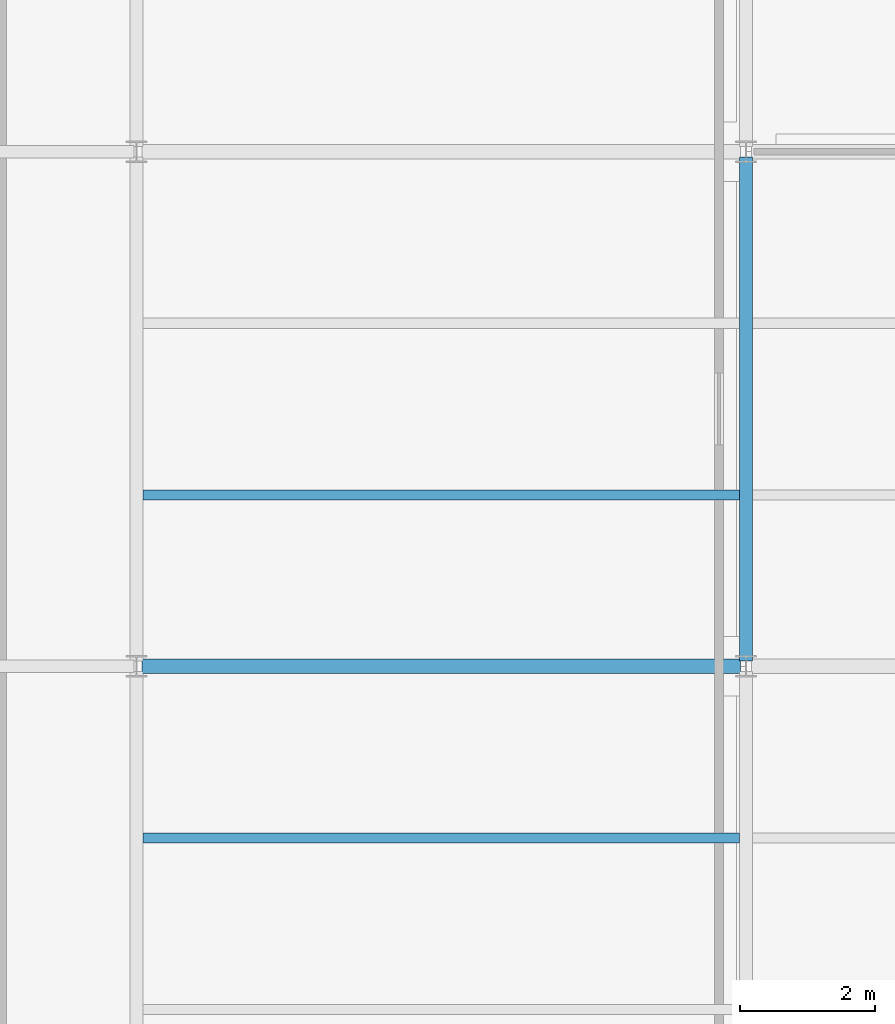
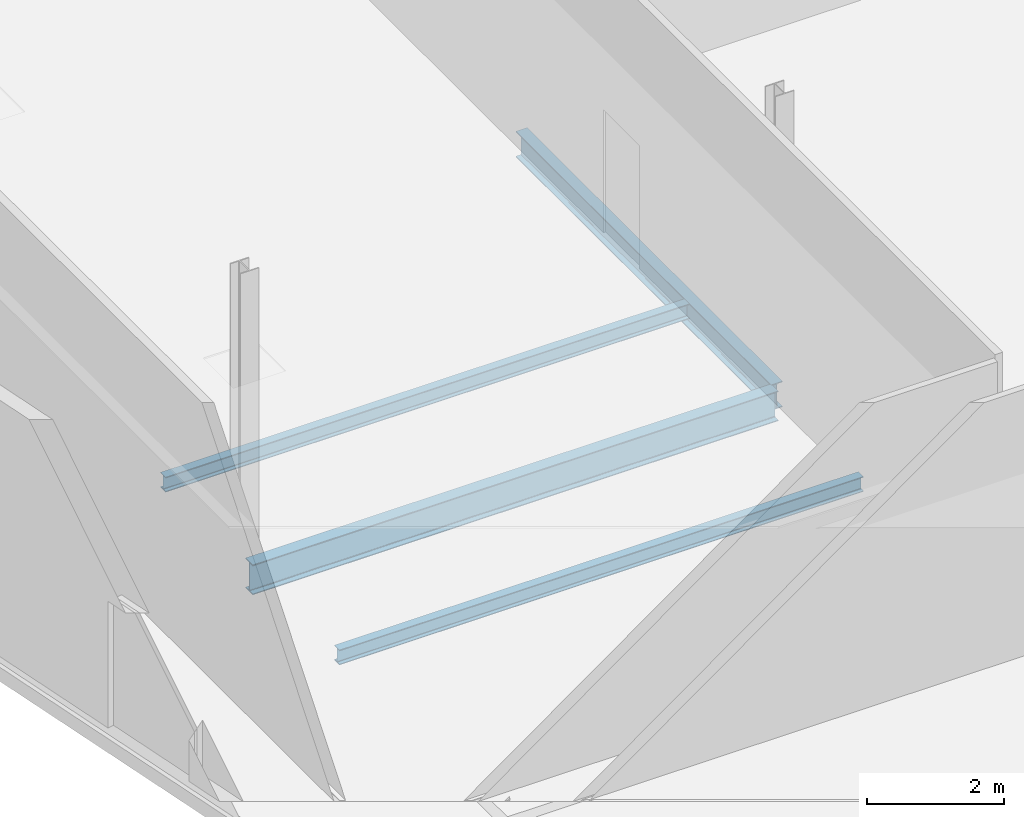
# One storey, part 88 of 161: 4 beams.
"""IFC4 building model written with IfcOpenShell, lengths in metres."""

import ifcopenshell
import ifcopenshell.guid

model = None  # the IFC model being written
_history = None  # IfcOwnerHistory: only IFC2X3 demands one
_inside = {}  # id of a spatial element -> (the spatial element, [elements in it])
_under = {}  # id of a project, library or spatial element -> (it, [spatial elements below it])
_declared = {}  # id of a project -> (the project, [libraries it declares])
_typed = {}  # id of a type object -> (the type object, [elements of that type])
_made_of = {}  # id of a material, layer set ... -> (it, [elements and type objects made of it])


def new_model(schema):
    """Start an empty IFC model of exactly this schema.

    Asked for "IFC4X3", IfcOpenShell would pick the latest addendum, in which some entities
    have other attributes; the version numbers below select the first issue.
    IFC2X3 requires an IfcOwnerHistory on every rooted entity: one is made here for all.
    """
    global model, _history
    if schema == "IFC4X3":
        model = ifcopenshell.file(schema_version=(4, 3, 0, 0))
    else:
        model = ifcopenshell.file(schema=schema)
    _inside.clear()
    _under.clear()
    _declared.clear()
    _typed.clear()
    _made_of.clear()
    _history = None
    if model.schema == "IFC2X3":
        org = make("IfcOrganization", Name="unknown")
        user = make(
            "IfcPersonAndOrganization",
            ThePerson=make("IfcPerson", FamilyName="unknown"),
            TheOrganization=org,
        )
        app = make(
            "IfcApplication",
            ApplicationDeveloper=org,
            Version="unknown",
            ApplicationFullName="unknown",
            ApplicationIdentifier="unknown",
        )
        _history = make(
            "IfcOwnerHistory",
            OwningUser=user,
            OwningApplication=app,
            ChangeAction="ADDED",
            CreationDate=0,
        )
    return model


def make(cls, **values):
    """One entity of the class cls with the attributes given. An attribute that is None is left unset."""
    return model.create_entity(
        cls, **{name: value for name, value in values.items() if value is not None}
    )


def rooted(cls, **values):
    """An entity with a GlobalId (a new one), such as an element, a storey or a relation."""
    return make(cls, GlobalId=ifcopenshell.guid.new(), OwnerHistory=_history, **values)


def si_unit(unit_type, name, prefix=None):
    """IfcSIUnit, for example si_unit("LENGTHUNIT", "METRE", prefix="MILLI")."""
    return make("IfcSIUnit", UnitType=unit_type, Prefix=prefix, Name=name)


def assignment(units):
    """IfcUnitAssignment: the units of a project."""
    return None if units is None else make("IfcUnitAssignment", Units=units)


def point(xyz):
    """IfcCartesianPoint."""
    return None if xyz is None else make("IfcCartesianPoint", Coordinates=xyz)


def direction(xyz):
    """IfcDirection."""
    return None if xyz is None else make("IfcDirection", DirectionRatios=xyz)


def frame(location, z_axis=None, x_axis=None):
    """IfcAxis2Placement3D, a coordinate frame: its origin and axes. An axis left out is left unset."""
    return make(
        "IfcAxis2Placement3D",
        Location=point(location),
        Axis=direction(z_axis),
        RefDirection=direction(x_axis),
    )


def frame_2d(location, x_axis=None):
    """IfcAxis2Placement2D, a coordinate frame in the plane: its origin and x axis."""
    return make(
        "IfcAxis2Placement2D", Location=point(location), RefDirection=direction(x_axis)
    )


def origin():
    """The frame at (0, 0, 0) with its axes left unset."""
    return frame((0.0, 0.0, 0.0))


def origin_2d():
    """The frame at (0, 0) in the plane with its x axis left unset."""
    return frame_2d((0.0, 0.0))


def place(relative_to, where):
    """IfcLocalPlacement: puts the frame where relative to a parent placement (None: the world)."""
    return make(
        "IfcLocalPlacement", PlacementRelTo=relative_to, RelativePlacement=where
    )


def context(
    kind, dimensions, precision=None, world=None, true_north=None, identifier=None
):
    """IfcGeometricRepresentationContext, for example the 3D "Model" context."""
    return make(
        "IfcGeometricRepresentationContext",
        ContextIdentifier=identifier,
        ContextType=kind,
        CoordinateSpaceDimension=dimensions,
        Precision=precision,
        WorldCoordinateSystem=world,
        TrueNorth=true_north,
    )


def subcontext(parent, identifier, kind, view, scale=None):
    """IfcGeometricRepresentationSubContext, for example "Body" below "Model"."""
    return make(
        "IfcGeometricRepresentationSubContext",
        ContextIdentifier=identifier,
        ContextType=kind,
        ParentContext=parent,
        TargetScale=scale,
        TargetView=view,
    )


def project(units=None, contexts=None):
    """IfcProject with its units and contexts."""
    return rooted(
        "IfcProject",
        Name="project",
        RepresentationContexts=contexts,
        UnitsInContext=assignment(units),
    )


def spatial(cls, under=None, at=None, **own):
    """A site, building, storey or space (cls), placed at a placement, below another one or the project."""
    s = rooted(cls, ObjectPlacement=at, **own)
    if under is not None:
        _under.setdefault(under.id(), (under, []))[1].append(s)
    return s


def profile(cls, at=None, kind="AREA", **sizes):
    """A parametric profile (cls). Its sizes go by their IFC names, for example OverallWidth=200.0."""
    return make(cls, ProfileType=kind, Position=at, **sizes)


def i_section(**sizes):
    """IfcIShapeProfileDef."""
    return profile("IfcIShapeProfileDef", **sizes)


def extrude(swept, where, along, depth):
    """IfcExtrudedAreaSolid: the profile swept, set in the frame where, extruded along a direction by depth."""
    return make(
        "IfcExtrudedAreaSolid",
        SweptArea=swept,
        Position=where,
        ExtrudedDirection=direction(along),
        Depth=depth,
    )


def shape(context_of_items, identifier, shape_type, items):
    """IfcShapeRepresentation: the items that make up one representation, for example the "Body"."""
    return make(
        "IfcShapeRepresentation",
        ContextOfItems=context_of_items,
        RepresentationIdentifier=identifier,
        RepresentationType=shape_type,
        Items=items,
    )


def material(Name=None, Category=None):
    """IfcMaterial."""
    return make("IfcMaterial", Name=Name, Category=Category)


def material_profile(
    of_material, cross_section, Name=None, Category=None, Priority=None
):
    """IfcMaterialProfile: a cross section and its material."""
    return make(
        "IfcMaterialProfile",
        Name=Name,
        Material=of_material,
        Profile=cross_section,
        Priority=Priority,
        Category=Category,
    )


def profile_set(profiles, Name=None, composite=None):
    """IfcMaterialProfileSet."""
    return make(
        "IfcMaterialProfileSet",
        Name=Name,
        MaterialProfiles=profiles,
        CompositeProfile=composite,
    )


def made_of(thing, what):
    """Note that an element or type object is made of a material, layer set ...; save() writes the relation."""
    if what is not None:
        _made_of.setdefault(what.id(), (what, []))[1].append(thing)
    return thing


def type_object(cls, material=None, **own):
    """A type object (cls), such as IfcWallType, which elements share."""
    return made_of(rooted(cls, **own), material)


def element(
    cls,
    number,
    at=None,
    inside=None,
    cuts=None,
    type_object=None,
    material=None,
    context=None,
    identifier="Body",
    shape_type=None,
    held_by="IfcProductDefinitionShape",
    body=None,
    shapes=None,
    **own,
):
    """One element of the class cls, such as IfcWall. Its Tag is "e" and its number.

    at: its placement. inside: the storey or other place that contains it. cuts: it is an
    opening in that element (IfcRelVoidsElement). A single representation is given by context,
    identifier, shape_type and body (its items); several are given by shapes. held_by: the class
    of the entity that holds the representations. save() writes the other relations.
    """
    e = rooted(cls, Tag="e%d" % number, ObjectPlacement=at, **own)
    if body is not None:
        shapes = [shape(context, identifier, shape_type, body)]
    if shapes is not None:
        e.Representation = make(held_by, Representations=shapes)
    if inside is not None:
        _inside.setdefault(inside.id(), (inside, []))[1].append(e)
    if cuts is not None:
        rooted(
            "IfcRelVoidsElement", RelatingBuildingElement=cuts, RelatedOpeningElement=e
        )
    if type_object is not None:
        _typed.setdefault(type_object.id(), (type_object, []))[1].append(e)
    return made_of(e, material)


def aggregate(whole, parts):
    """IfcRelAggregates: a whole, such as a stair, and the parts it consists of."""
    return rooted("IfcRelAggregates", RelatingObject=whole, RelatedObjects=parts)


def save(model, path):
    """Write the relations noted so far, then the file.

    IfcRelAggregates (storeys below a building ...), IfcRelContainedInSpatialStructure (elements
    in a storey), IfcRelDefinesByType, IfcRelAssociatesMaterial and IfcRelDeclares: one each for
    every whole, place, type object, material and project.
    """
    for whole, parts in _under.values():
        aggregate(whole, parts)
    for where, things in _inside.values():
        rooted(
            "IfcRelContainedInSpatialStructure",
            RelatedElements=things,
            RelatingStructure=where,
        )
    for kind, things in _typed.values():
        rooted("IfcRelDefinesByType", RelatedObjects=things, RelatingType=kind)
    for what, things in _made_of.values():
        rooted("IfcRelAssociatesMaterial", RelatedObjects=things, RelatingMaterial=what)
    for by, libraries in _declared.values():
        rooted("IfcRelDeclares", RelatingContext=by, RelatedDefinitions=libraries)
    model.write(path)


model = new_model("IFC4")

# Units and contexts
model_context = context("Model", 3, precision=1e-05, world=origin(), true_north=direction((0.0, 1.0)))
body_context = subcontext(model_context, "Body", "Model", "MODEL_VIEW")
ifc_project = project(units=[si_unit("LENGTHUNIT", "METRE"), si_unit("AREAUNIT", "SQUARE_METRE"), si_unit("VOLUMEUNIT", "CUBIC_METRE"), si_unit("PLANEANGLEUNIT", "RADIAN"), si_unit("MASSUNIT", "GRAM", prefix="KILO")], contexts=[model_context])

# Site, building, storey
site_placement = place(None, origin())
site = spatial("IfcSite", under=ifc_project, at=site_placement, CompositionType="ELEMENT")
building_placement = place(site_placement, origin())
building = spatial("IfcBuilding", under=site, at=building_placement, Name="Caisbarro Railhouse Central Library", CompositionType="ELEMENT")
storey_placement = place(building_placement, origin())
storey = spatial("IfcBuildingStorey", under=building, at=storey_placement, Name="L00", CompositionType="ELEMENT", Elevation=0.0)

# Beams
ifc_material = material(Name="Steel ASTM A572 Grade 50", Category="steel")
ifc_material_profile_1 = material_profile(ifc_material, i_section(OverallWidth=0.208984375, OverallDepth=0.532958984375, WebThickness=0.01025390625, FlangeThickness=0.015625, FilletRadius=0.02001953125, at=origin_2d()), Name="W530X92.0")
ifc_profile_set_1 = profile_set([ifc_material_profile_1], Name="Steel ASTM A572 Grade 50")
beam_type_1 = type_object("IfcBeamType", Name="BM-G06", PredefinedType="BEAM", material=ifc_profile_set_1)
beam_1_placement = place(storey_placement, frame((117.080078125, 83.60009765625, -0.5166015625), z_axis=(1.0, 0.0, 0.0), x_axis=(0.0, 1.0, 0.0)))
element("IfcBeam", 1, at=beam_1_placement, inside=storey, type_object=beam_type_1, Name="G06 beam L00 #502", PredefinedType="BEAM", context=body_context, shape_type="SweptSolid", body=[
    extrude(i_section(OverallWidth=0.208984375, OverallDepth=0.532958984375, WebThickness=0.01025390625, FlangeThickness=0.015625, FilletRadius=0.02001953125, at=origin_2d()), origin(), (0.0, 0.0, 1.0), 8.83984375),
])
ifc_material_profile_2 = material_profile(ifc_material, i_section(OverallWidth=0.18994140625, OverallDepth=0.45703125, WebThickness=0.009033203125, FlangeThickness=0.014404296875, FilletRadius=0.01806640625, at=origin_2d()), Name="W460X74.0")
ifc_profile_set_2 = profile_set([ifc_material_profile_2], Name="Steel ASTM A572 Grade 50")
beam_type_2 = type_object("IfcBeamType", Name="BM-G08", PredefinedType="BEAM", material=ifc_profile_set_2)
beam_2_placement = place(storey_placement, frame((126.0, 83.679931640625, -0.478515625), z_axis=(0.0, 1.0, 0.0), x_axis=(-1.0, 0.0, 0.0)))
element("IfcBeam", 2, at=beam_2_placement, inside=storey, type_object=beam_type_2, Name="G08 beam L00 #532", PredefinedType="BEAM", context=body_context, shape_type="SweptSolid", body=[
    extrude(i_section(OverallWidth=0.18994140625, OverallDepth=0.45703125, WebThickness=0.009033203125, FlangeThickness=0.014404296875, FilletRadius=0.01806640625, at=origin_2d()), origin(), (0.0, 0.0, 1.0), 7.440185546875),
])
ifc_material_profile_3 = material_profile(ifc_material, i_section(OverallWidth=0.14794921875, OverallDepth=0.26611328125, WebThickness=0.007568359375, FlangeThickness=0.012939453125, FilletRadius=0.010009765625, at=origin_2d()), Name="W250X44.8")
ifc_profile_set_3 = profile_set([ifc_material_profile_3], Name="Steel ASTM A572 Grade 50")
beam_type_3 = type_object("IfcBeamType", Name="BM-J04", PredefinedType="JOIST", material=ifc_profile_set_3)
for number, where, z_axis, x_axis, name in (
    (3, (117.094970703125, 81.066650390625, -0.383056640625), (1.0, 0.0, 0.0), (0.0, 1.0, 0.0), "J04 beam L00 #562"),
    (4, (117.094970703125, 86.13330078125, -0.383056640625), (1.0, 0.0, 0.0), (0.0, 1.0, 0.0), "J04 beam L00 #563"),
):
    element("IfcBeam", number, at=place(storey_placement, frame(where, z_axis=z_axis, x_axis=x_axis)), inside=storey, type_object=beam_type_3, Name=name, PredefinedType="JOIST", context=body_context, shape_type="SweptSolid", body=[
        extrude(i_section(OverallWidth=0.14794921875, OverallDepth=0.26611328125, WebThickness=0.007568359375, FlangeThickness=0.012939453125, FilletRadius=0.010009765625, at=origin_2d()), origin(), (0.0, 0.0, 1.0), 8.81005859375),
    ])

save(model, "model.ifc")
